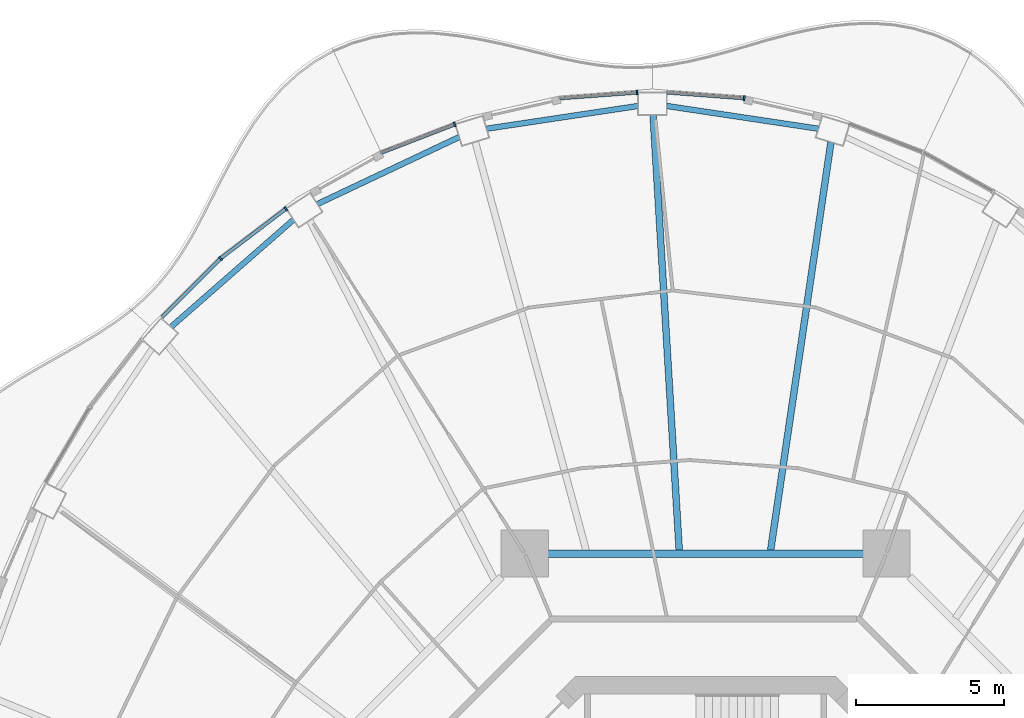
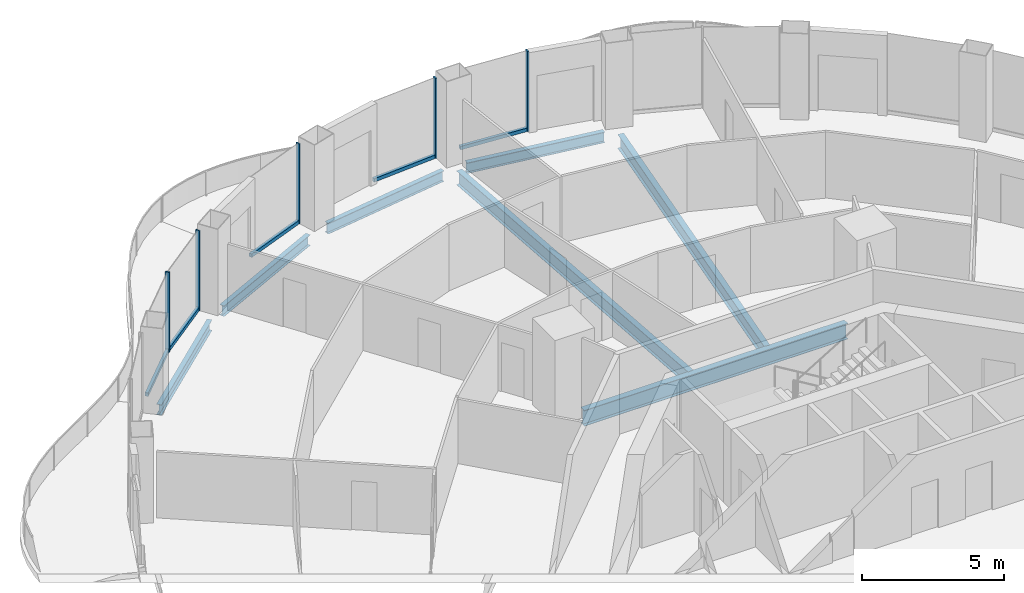
# One storey, part 6 of 18: 10 members, 7 beams, 5 elements without a shape of their own.
"""IFC4 building model written with IfcOpenShell, lengths in metres."""

import ifcopenshell
import ifcopenshell.guid

model = None  # the IFC model being written
_history = None  # IfcOwnerHistory: only IFC2X3 demands one
_inside = {}  # id of a spatial element -> (the spatial element, [elements in it])
_under = {}  # id of a project, library or spatial element -> (it, [spatial elements below it])
_declared = {}  # id of a project -> (the project, [libraries it declares])
_typed = {}  # id of a type object -> (the type object, [elements of that type])
_made_of = {}  # id of a material, layer set ... -> (it, [elements and type objects made of it])


def new_model(schema):
    """Start an empty IFC model of exactly this schema.

    Asked for "IFC4X3", IfcOpenShell would pick the latest addendum, in which some entities
    have other attributes; the version numbers below select the first issue.
    IFC2X3 requires an IfcOwnerHistory on every rooted entity: one is made here for all.
    """
    global model, _history
    if schema == "IFC4X3":
        model = ifcopenshell.file(schema_version=(4, 3, 0, 0))
    else:
        model = ifcopenshell.file(schema=schema)
    _inside.clear()
    _under.clear()
    _declared.clear()
    _typed.clear()
    _made_of.clear()
    _history = None
    if model.schema == "IFC2X3":
        org = make("IfcOrganization", Name="unknown")
        user = make(
            "IfcPersonAndOrganization",
            ThePerson=make("IfcPerson", FamilyName="unknown"),
            TheOrganization=org,
        )
        app = make(
            "IfcApplication",
            ApplicationDeveloper=org,
            Version="unknown",
            ApplicationFullName="unknown",
            ApplicationIdentifier="unknown",
        )
        _history = make(
            "IfcOwnerHistory",
            OwningUser=user,
            OwningApplication=app,
            ChangeAction="ADDED",
            CreationDate=0,
        )
    return model


def make(cls, **values):
    """One entity of the class cls with the attributes given. An attribute that is None is left unset."""
    return model.create_entity(
        cls, **{name: value for name, value in values.items() if value is not None}
    )


def rooted(cls, **values):
    """An entity with a GlobalId (a new one), such as an element, a storey or a relation."""
    return make(cls, GlobalId=ifcopenshell.guid.new(), OwnerHistory=_history, **values)


def si_unit(unit_type, name, prefix=None):
    """IfcSIUnit, for example si_unit("LENGTHUNIT", "METRE", prefix="MILLI")."""
    return make("IfcSIUnit", UnitType=unit_type, Prefix=prefix, Name=name)


def assignment(units):
    """IfcUnitAssignment: the units of a project."""
    return None if units is None else make("IfcUnitAssignment", Units=units)


def point(xyz):
    """IfcCartesianPoint."""
    return None if xyz is None else make("IfcCartesianPoint", Coordinates=xyz)


def direction(xyz):
    """IfcDirection."""
    return None if xyz is None else make("IfcDirection", DirectionRatios=xyz)


def frame(location, z_axis=None, x_axis=None):
    """IfcAxis2Placement3D, a coordinate frame: its origin and axes. An axis left out is left unset."""
    return make(
        "IfcAxis2Placement3D",
        Location=point(location),
        Axis=direction(z_axis),
        RefDirection=direction(x_axis),
    )


def frame_2d(location, x_axis=None):
    """IfcAxis2Placement2D, a coordinate frame in the plane: its origin and x axis."""
    return make(
        "IfcAxis2Placement2D", Location=point(location), RefDirection=direction(x_axis)
    )


def origin():
    """The frame at (0, 0, 0) with its axes left unset."""
    return frame((0.0, 0.0, 0.0))


def origin_2d():
    """The frame at (0, 0) in the plane with its x axis left unset."""
    return frame_2d((0.0, 0.0))


def place(relative_to, where):
    """IfcLocalPlacement: puts the frame where relative to a parent placement (None: the world)."""
    return make(
        "IfcLocalPlacement", PlacementRelTo=relative_to, RelativePlacement=where
    )


def context(
    kind, dimensions, precision=None, world=None, true_north=None, identifier=None
):
    """IfcGeometricRepresentationContext, for example the 3D "Model" context."""
    return make(
        "IfcGeometricRepresentationContext",
        ContextIdentifier=identifier,
        ContextType=kind,
        CoordinateSpaceDimension=dimensions,
        Precision=precision,
        WorldCoordinateSystem=world,
        TrueNorth=true_north,
    )


def subcontext(parent, identifier, kind, view, scale=None):
    """IfcGeometricRepresentationSubContext, for example "Body" below "Model"."""
    return make(
        "IfcGeometricRepresentationSubContext",
        ContextIdentifier=identifier,
        ContextType=kind,
        ParentContext=parent,
        TargetScale=scale,
        TargetView=view,
    )


def project(units=None, contexts=None):
    """IfcProject with its units and contexts."""
    return rooted(
        "IfcProject",
        Name="project",
        RepresentationContexts=contexts,
        UnitsInContext=assignment(units),
    )


def spatial(cls, under=None, at=None, **own):
    """A site, building, storey or space (cls), placed at a placement, below another one or the project."""
    s = rooted(cls, ObjectPlacement=at, **own)
    if under is not None:
        _under.setdefault(under.id(), (under, []))[1].append(s)
    return s


def profile(cls, at=None, kind="AREA", **sizes):
    """A parametric profile (cls). Its sizes go by their IFC names, for example OverallWidth=200.0."""
    return make(cls, ProfileType=kind, Position=at, **sizes)


def rectangle(**sizes):
    """IfcRectangleProfileDef."""
    return profile("IfcRectangleProfileDef", **sizes)


def i_section(**sizes):
    """IfcIShapeProfileDef."""
    return profile("IfcIShapeProfileDef", **sizes)


def extrude(swept, where, along, depth):
    """IfcExtrudedAreaSolid: the profile swept, set in the frame where, extruded along a direction by depth."""
    return make(
        "IfcExtrudedAreaSolid",
        SweptArea=swept,
        Position=where,
        ExtrudedDirection=direction(along),
        Depth=depth,
    )


def shape(context_of_items, identifier, shape_type, items):
    """IfcShapeRepresentation: the items that make up one representation, for example the "Body"."""
    return make(
        "IfcShapeRepresentation",
        ContextOfItems=context_of_items,
        RepresentationIdentifier=identifier,
        RepresentationType=shape_type,
        Items=items,
    )


def material(Name=None, Category=None):
    """IfcMaterial."""
    return make("IfcMaterial", Name=Name, Category=Category)


def layer(
    of_material, thickness, ventilated=None, Name=None, Category=None, Priority=None
):
    """IfcMaterialLayer: one layer of a wall or slab, of a material (None: an air gap)."""
    return make(
        "IfcMaterialLayer",
        Material=of_material,
        LayerThickness=thickness,
        IsVentilated=ventilated,
        Name=Name,
        Category=Category,
        Priority=Priority,
    )


def layer_set(layers, Name=None):
    """IfcMaterialLayerSet."""
    return make("IfcMaterialLayerSet", MaterialLayers=layers, LayerSetName=Name)


def material_profile(
    of_material, cross_section, Name=None, Category=None, Priority=None
):
    """IfcMaterialProfile: a cross section and its material."""
    return make(
        "IfcMaterialProfile",
        Name=Name,
        Material=of_material,
        Profile=cross_section,
        Priority=Priority,
        Category=Category,
    )


def profile_set(profiles, Name=None, composite=None):
    """IfcMaterialProfileSet."""
    return make(
        "IfcMaterialProfileSet",
        Name=Name,
        MaterialProfiles=profiles,
        CompositeProfile=composite,
    )


def made_of(thing, what):
    """Note that an element or type object is made of a material, layer set ...; save() writes the relation."""
    if what is not None:
        _made_of.setdefault(what.id(), (what, []))[1].append(thing)
    return thing


def type_object(cls, material=None, **own):
    """A type object (cls), such as IfcWallType, which elements share."""
    return made_of(rooted(cls, **own), material)


def element(
    cls,
    number,
    at=None,
    inside=None,
    cuts=None,
    type_object=None,
    material=None,
    context=None,
    identifier="Body",
    shape_type=None,
    held_by="IfcProductDefinitionShape",
    body=None,
    shapes=None,
    **own,
):
    """One element of the class cls, such as IfcWall. Its Tag is "e" and its number.

    at: its placement. inside: the storey or other place that contains it. cuts: it is an
    opening in that element (IfcRelVoidsElement). A single representation is given by context,
    identifier, shape_type and body (its items); several are given by shapes. held_by: the class
    of the entity that holds the representations. save() writes the other relations.
    """
    e = rooted(cls, Tag="e%d" % number, ObjectPlacement=at, **own)
    if body is not None:
        shapes = [shape(context, identifier, shape_type, body)]
    if shapes is not None:
        e.Representation = make(held_by, Representations=shapes)
    if inside is not None:
        _inside.setdefault(inside.id(), (inside, []))[1].append(e)
    if cuts is not None:
        rooted(
            "IfcRelVoidsElement", RelatingBuildingElement=cuts, RelatedOpeningElement=e
        )
    if type_object is not None:
        _typed.setdefault(type_object.id(), (type_object, []))[1].append(e)
    return made_of(e, material)


def aggregate(whole, parts):
    """IfcRelAggregates: a whole, such as a stair, and the parts it consists of."""
    return rooted("IfcRelAggregates", RelatingObject=whole, RelatedObjects=parts)


def save(model, path):
    """Write the relations noted so far, then the file.

    IfcRelAggregates (storeys below a building ...), IfcRelContainedInSpatialStructure (elements
    in a storey), IfcRelDefinesByType, IfcRelAssociatesMaterial and IfcRelDeclares: one each for
    every whole, place, type object, material and project.
    """
    for whole, parts in _under.values():
        aggregate(whole, parts)
    for where, things in _inside.values():
        rooted(
            "IfcRelContainedInSpatialStructure",
            RelatedElements=things,
            RelatingStructure=where,
        )
    for kind, things in _typed.values():
        rooted("IfcRelDefinesByType", RelatedObjects=things, RelatingType=kind)
    for what, things in _made_of.values():
        rooted("IfcRelAssociatesMaterial", RelatedObjects=things, RelatingMaterial=what)
    for by, libraries in _declared.values():
        rooted("IfcRelDeclares", RelatingContext=by, RelatedDefinitions=libraries)
    model.write(path)


model = new_model("IFC4")

# Units and contexts
model_context = context("Model", 3, precision=1e-05, world=origin(), true_north=direction((0.0, 1.0)))
body_context = subcontext(model_context, "Body", "Model", "MODEL_VIEW")
ifc_project = project(units=[si_unit("LENGTHUNIT", "METRE"), si_unit("AREAUNIT", "SQUARE_METRE"), si_unit("VOLUMEUNIT", "CUBIC_METRE"), si_unit("PLANEANGLEUNIT", "RADIAN"), si_unit("MASSUNIT", "GRAM", prefix="KILO")], contexts=[model_context])

# Site, building, storey
site_placement = place(None, origin())
site = spatial("IfcSite", under=ifc_project, at=site_placement, CompositionType="ELEMENT")
building_placement = place(site_placement, origin())
building = spatial("IfcBuilding", under=site, at=building_placement, Name="Nagisa Residences", CompositionType="ELEMENT")
storey_placement = place(building_placement, frame((0.0, 0.0, 245.5)))
storey = spatial("IfcBuildingStorey", under=building, at=storey_placement, Name="L62", CompositionType="ELEMENT", Elevation=245.5)

# Curtain wall, member
ifc_material_1 = material(Name="Concrete-coloured aluminium curtain wall system", Category="concrete")
ifc_layer = layer(ifc_material_1, 0.159912109375)
ifc_layer_set = layer_set([ifc_layer], Name="CW1 CURTAIN WALL")
curtain_wall_type = type_object("IfcCurtainWallType", Name="CW1 CURTAIN WALL", PredefinedType="NOTDEFINED", material=ifc_layer_set)
curtain_wall_1_placement = place(storey_placement, origin())
curtain_wall_1 = element("IfcCurtainWall", 1, at=curtain_wall_1_placement, inside=storey, type_object=curtain_wall_type, Name="cw:CW1:L62:11", PredefinedType="NOTDEFINED")
ifc_material_2 = material(Name="Concrete-coloured aluminium", Category="concrete")
ifc_material_profile_1 = material_profile(ifc_material_2, rectangle(XDim=0.159912109375, YDim=0.06005859375, at=origin_2d()), Name="CW1 MULLION 160x60")
ifc_profile_set_1 = profile_set([ifc_material_profile_1], Name="Concrete-coloured aluminium")
member_type_1 = type_object("IfcMemberType", Name="CW1 MULLION 160x60", PredefinedType="MULLION", material=ifc_profile_set_1)
member_1_placement = place(storey_placement, frame((1.305908203125, 30.19580078125, 0.0), z_axis=(0.0, 0.0, 1.0), x_axis=(-0.074377355493, -0.997230168512, 0.0)))
member_1 = element("IfcMember", 2, at=member_1_placement, type_object=member_type_1, Name="CW1 mullion", PredefinedType="MULLION", context=body_context, shape_type="SweptSolid", body=[
    extrude(rectangle(XDim=0.159912109375, YDim=0.06005859375, at=origin_2d()), origin(), (0.0, 0.0, 1.0), 3.43994140625),
])

curtain_wall_2_placement = place(storey_placement, origin())
curtain_wall_2 = element("IfcCurtainWall", 3, at=curtain_wall_2_placement, inside=storey, type_object=curtain_wall_type, Name="cw:CW1:L62:12", PredefinedType="NOTDEFINED")
member_2_placement = place(storey_placement, frame((-2.322509765625, 30.388427734375, 0.0), z_axis=(0.0, 0.0, 1.0), x_axis=(0.074377355493, -0.997230168512, 0.0)))
member_2 = element("IfcMember", 4, at=member_2_placement, type_object=member_type_1, Name="CW1 mullion", PredefinedType="MULLION", context=body_context, shape_type="SweptSolid", body=[
    extrude(rectangle(XDim=0.159912109375, YDim=0.06005859375, at=origin_2d()), origin(), (0.0, 0.0, 1.0), 3.43994140625),
])

curtain_wall_3_placement = place(storey_placement, origin())
curtain_wall_3 = element("IfcCurtainWall", 5, at=curtain_wall_3_placement, inside=storey, type_object=curtain_wall_type, Name="cw:CW1:L62:14", PredefinedType="NOTDEFINED")
member_3_placement = place(storey_placement, frame((-8.495361328125, 29.308837890625, 0.0), z_axis=(0.0, 0.0, 1.0), x_axis=(0.360327770268, -0.932825759707, 0.0)))
member_3 = element("IfcMember", 6, at=member_3_placement, type_object=member_type_1, Name="CW1 mullion", PredefinedType="MULLION", context=body_context, shape_type="SweptSolid", body=[
    extrude(rectangle(XDim=0.159912109375, YDim=0.06005859375, at=origin_2d()), origin(), (0.0, 0.0, 1.0), 3.43994140625),
])

curtain_wall_4_placement = place(storey_placement, origin())
curtain_wall_4 = element("IfcCurtainWall", 7, at=curtain_wall_4_placement, inside=storey, type_object=curtain_wall_type, Name="cw:CW1:L62:16", PredefinedType="NOTDEFINED")
member_4_placement = place(storey_placement, frame((-14.20849609375, 26.45361328125, 0.0), z_axis=(0.0, 0.0, 1.0), x_axis=(0.605255421737, -0.79603132756, 0.0)))
member_4 = element("IfcMember", 8, at=member_4_placement, type_object=member_type_1, Name="CW1 mullion", PredefinedType="MULLION", context=body_context, shape_type="SweptSolid", body=[
    extrude(rectangle(XDim=0.159912109375, YDim=0.06005859375, at=origin_2d()), origin(), (0.0, 0.0, 1.0), 3.43994140625),
])

curtain_wall_5_placement = place(storey_placement, origin())
curtain_wall_5 = element("IfcCurtainWall", 9, at=curtain_wall_5_placement, inside=storey, type_object=curtain_wall_type, Name="cw:CW1:L62:17", PredefinedType="NOTDEFINED")
member_5_placement = place(storey_placement, frame((-16.417724609375, 24.769775390625, 0.0), z_axis=(0.0, 0.0, 1.0), x_axis=(0.706376885714, -0.707835924016, 0.0)))
member_5 = element("IfcMember", 10, at=member_5_placement, type_object=member_type_1, Name="CW1 mullion", PredefinedType="MULLION", context=body_context, shape_type="SweptSolid", body=[
    extrude(rectangle(XDim=0.159912109375, YDim=0.06005859375, at=origin_2d()), origin(), (0.0, 0.0, 1.0), 3.43994140625),
])

# Member
ifc_material_3 = material(Name="Concrete-coloured aluminium", Category="concrete")
ifc_material_profile_2 = material_profile(ifc_material_3, rectangle(XDim=0.1201171875, YDim=0.14990234375, at=origin_2d()), Name="CW1 TRANSOM 120x150")
ifc_profile_set_2 = profile_set([ifc_material_profile_2], Name="Concrete-coloured aluminium")
member_type_2 = type_object("IfcMemberType", Name="CW1 TRANSOM 120x150", PredefinedType="USERDEFINED", material=ifc_profile_set_2)
member_6_placement = place(storey_placement, frame((1.335693359375, 30.193603515625, 0.074951171875), z_axis=(-0.997233213085, 0.074336523458, 0.0), x_axis=(-0.074336523458, -0.997233213085, 0.0)))
member_6 = element("IfcMember", 11, at=member_6_placement, type_object=member_type_2, Name="CW1 transom", ObjectType="TRANSOM", PredefinedType="USERDEFINED", context=body_context, shape_type="SweptSolid", body=[
    extrude(rectangle(XDim=0.1201171875, YDim=0.14990234375, at=origin_2d()), origin(), (0.0, 0.0, 1.0), 2.650390625),
])

aggregate(curtain_wall_1, [member_1, member_6])

member_7_placement = place(storey_placement, frame((-2.292724609375, 30.390625, 0.074951171875), z_axis=(-0.997233213085, -0.074336523458, 0.0), x_axis=(0.074336523458, -0.997233213085, 0.0)))
member_7 = element("IfcMember", 12, at=member_7_placement, type_object=member_type_2, Name="CW1 transom", ObjectType="TRANSOM", PredefinedType="USERDEFINED", context=body_context, shape_type="SweptSolid", body=[
    extrude(rectangle(XDim=0.1201171875, YDim=0.14990234375, at=origin_2d()), origin(), (0.0, 0.0, 1.0), 2.650390625),
])

aggregate(curtain_wall_2, [member_2, member_7])

member_8_placement = place(storey_placement, frame((-8.46728515625, 29.319580078125, 0.074951171875), z_axis=(-0.932838255163, -0.360295420044, 0.0), x_axis=(0.360295420044, -0.932838255163, 0.0)))
member_8 = element("IfcMember", 13, at=member_8_placement, type_object=member_type_2, Name="CW1 transom", ObjectType="TRANSOM", PredefinedType="USERDEFINED", context=body_context, shape_type="SweptSolid", body=[
    extrude(rectangle(XDim=0.1201171875, YDim=0.14990234375, at=origin_2d()), origin(), (0.0, 0.0, 1.0), 2.6962890625),
])

aggregate(curtain_wall_3, [member_3, member_8])

member_9_placement = place(storey_placement, frame((-14.1845703125, 26.471923828125, 0.074951171875), z_axis=(-0.796022158395, -0.605267480825, 0.0), x_axis=(0.605267480825, -0.796022158395, 0.0)))
member_9 = element("IfcMember", 14, at=member_9_placement, type_object=member_type_2, Name="CW1 transom", ObjectType="TRANSOM", PredefinedType="USERDEFINED", context=body_context, shape_type="SweptSolid", body=[
    extrude(rectangle(XDim=0.1201171875, YDim=0.14990234375, at=origin_2d()), origin(), (0.0, 0.0, 1.0), 2.788818359375),
])

aggregate(curtain_wall_4, [member_4, member_9])

member_10_placement = place(storey_placement, frame((-16.396484375, 24.791015625, 0.074951171875), z_axis=(-0.707836044127, -0.706376765356, 0.0), x_axis=(0.706376765356, -0.707836044127, 0.0)))
member_10 = element("IfcMember", 15, at=member_10_placement, type_object=member_type_2, Name="CW1 transom", ObjectType="TRANSOM", PredefinedType="USERDEFINED", context=body_context, shape_type="SweptSolid", body=[
    extrude(rectangle(XDim=0.1201171875, YDim=0.14990234375, at=origin_2d()), origin(), (0.0, 0.0, 1.0), 2.84423828125),
])

aggregate(curtain_wall_5, [member_5, member_10])

# Beams
ifc_material_4 = material(Name="Steel ASTM A572 Gr 50", Category="steel")
ifc_material_profile_3 = material_profile(ifc_material_4, i_section(OverallWidth=0.2529296875, OverallDepth=0.677978515625, WebThickness=0.01171875, FlangeThickness=0.016357421875, at=origin_2d()), Name="W690x125")
ifc_profile_set_3 = profile_set([ifc_material_profile_3], Name="Steel ASTM A572 Gr 50")
beam_type_1 = type_object("IfcBeamType", Name="Inner ring beam W690x125", PredefinedType="BEAM", material=ifc_profile_set_3)
beam_1_placement = place(storey_placement, frame((5.343017578125, 14.781982421875, -0.59912109375), z_axis=(-1.0, 0.0, 0.0), x_axis=(0.0, -1.0, 0.0)))
element("IfcBeam", 16, at=beam_1_placement, inside=storey, type_object=beam_type_1, Name="beam:L62:ib2", PredefinedType="BEAM", context=body_context, shape_type="SweptSolid", body=[
    extrude(i_section(OverallWidth=0.2529296875, OverallDepth=0.677978515625, WebThickness=0.01171875, FlangeThickness=0.016357421875, at=origin_2d()), origin(), (0.0, 0.0, 1.0), 10.68603515625),
])
ifc_material_5 = material(Name="Steel ASTM A572 Gr 50", Category="steel")
ifc_material_profile_4 = material_profile(ifc_material_5, i_section(OverallWidth=0.18994140625, OverallDepth=0.45703125, WebThickness=0.009033203125, FlangeThickness=0.014404296875, at=origin_2d()), Name="W460x74")
ifc_profile_set_4 = profile_set([ifc_material_profile_4], Name="Steel ASTM A572 Gr 50")
beam_type_2 = type_object("IfcBeamType", Name="Perimeter ring beam W460x74", PredefinedType="BEAM", material=ifc_profile_set_4)
for number, where, z_axis, x_axis, name in (
    (17, (3.8203125, 29.16357421875, -0.488525390625), (-0.988909463745, 0.148519603133, 0.0), (-0.148519603133, -0.988909463745, 0.0), "beam:L62:pb06"),
    (18, (-2.2802734375, 29.935546875, -0.488525390625), (-0.988909463745, -0.148519603133, 0.0), (0.148519603133, -0.988909463745, 0.0), "beam:L62:pb07"),
):
    element("IfcBeam", number, at=place(storey_placement, frame(where, z_axis=z_axis, x_axis=x_axis)), inside=storey, type_object=beam_type_2, Name=name, PredefinedType="BEAM", context=body_context, shape_type="SweptSolid", body=[
        extrude(i_section(OverallWidth=0.18994140625, OverallDepth=0.45703125, WebThickness=0.009033203125, FlangeThickness=0.014404296875, at=origin_2d()), origin(), (0.0, 0.0, 1.0), 5.19775390625),
    ])
beam_2_placement = place(storey_placement, frame((-8.339111328125, 28.884033203125, -0.488525390625), z_axis=(-0.904133867308, -0.42724928319, 0.0), x_axis=(0.42724928319, -0.904133867308, 0.0)))
element("IfcBeam", 19, at=beam_2_placement, inside=storey, type_object=beam_type_2, Name="beam:L62:pb08", PredefinedType="BEAM", context=body_context, shape_type="SweptSolid", body=[
    extrude(i_section(OverallWidth=0.18994140625, OverallDepth=0.45703125, WebThickness=0.009033203125, FlangeThickness=0.014404296875, at=origin_2d()), origin(), (0.0, 0.0, 1.0), 5.317138671875),
])
beam_3_placement = place(storey_placement, frame((-13.94970703125, 26.085693359375, -0.488525390625), z_axis=(-0.75242320672, -0.65867998147, 0.0), x_axis=(0.65867998147, -0.75242320672, 0.0)))
element("IfcBeam", 20, at=beam_3_placement, inside=storey, type_object=beam_type_2, Name="beam:L62:pb09", PredefinedType="BEAM", context=body_context, shape_type="SweptSolid", body=[
    extrude(i_section(OverallWidth=0.18994140625, OverallDepth=0.45703125, WebThickness=0.009033203125, FlangeThickness=0.014404296875, at=origin_2d()), origin(), (0.0, 0.0, 1.0), 5.5185546875),
])
ifc_material_6 = material(Name="Steel ASTM A572 Gr 50", Category="steel")
ifc_material_profile_5 = material_profile(ifc_material_6, i_section(OverallWidth=0.22802734375, OverallDepth=0.60302734375, WebThickness=0.010498046875, FlangeThickness=0.014892578125, at=origin_2d()), Name="W610x101")
ifc_profile_set_5 = profile_set([ifc_material_profile_5], Name="Steel ASTM A572 Gr 50")
beam_type_3 = type_object("IfcBeamType", Name="Radial beam W610x101", PredefinedType="BEAM", material=ifc_profile_set_5)
beam_4_placement = place(storey_placement, frame((4.244140625, 28.711181640625, -0.5615234375), z_axis=(-0.146228868188, -0.989250786256, 0.0), x_axis=(0.989250786256, -0.146228868188, 0.0)))
element("IfcBeam", 21, at=beam_4_placement, inside=storey, type_object=beam_type_3, Name="beam:L62:rb06", PredefinedType="BEAM", context=body_context, shape_type="SweptSolid", body=[
    extrude(i_section(OverallWidth=0.22802734375, OverallDepth=0.60302734375, WebThickness=0.010498046875, FlangeThickness=0.014892578125, at=origin_2d()), origin(), (0.0, 0.0, 1.0), 13.97265625),
])
beam_5_placement = place(storey_placement, frame((-1.777099609375, 29.627685546875, -0.5615234375), z_axis=(0.059871531939, -0.998206090776, 0.0), x_axis=(0.998206090776, 0.059871531939, 0.0)))
element("IfcBeam", 22, at=beam_5_placement, inside=storey, type_object=beam_type_3, Name="beam:L62:rb07", PredefinedType="BEAM", context=body_context, shape_type="SweptSolid", body=[
    extrude(i_section(OverallWidth=0.22802734375, OverallDepth=0.60302734375, WebThickness=0.010498046875, FlangeThickness=0.014892578125, at=origin_2d()), origin(), (0.0, 0.0, 1.0), 14.765380859375),
])

save(model, "model.ifc")
